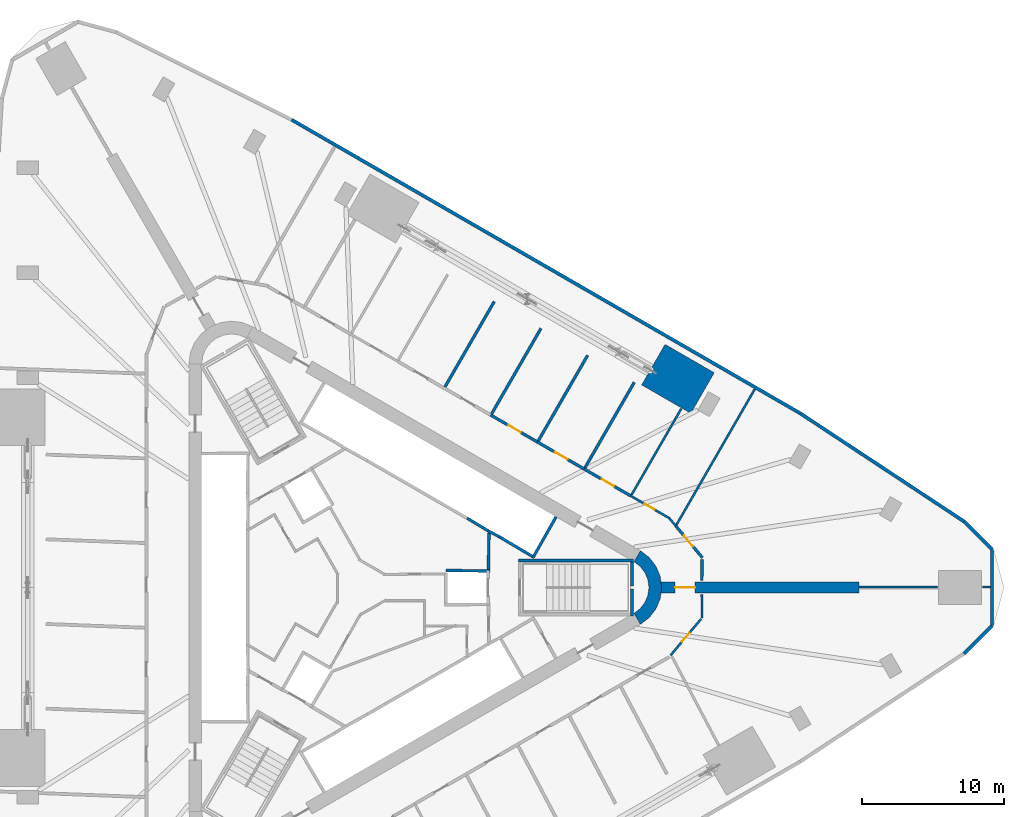
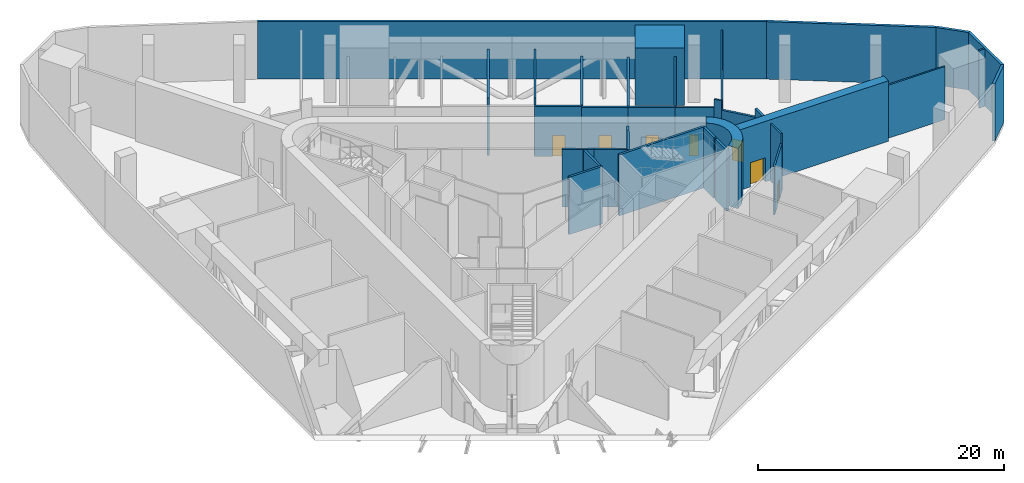
# One storey, part 10 of 14: 34 walls, 7 doors, 7 openings.
"""IFC4 building model written with IfcOpenShell, lengths in metres."""

from ifc_helpers import new_model, si_unit, direction, frame, frame_2d, origin, place, context, subcontext, project, spatial, polyline, rectangle, outline, extrude, material, layer, layer_set, type_object, element, fill, save


model = new_model("IFC4")

# Units and contexts
model_context = context("Model", 3, precision=1e-05, world=origin(), true_north=direction((0.0, 1.0)))
body_context = subcontext(model_context, "Body", "Model", "MODEL_VIEW")
ifc_project = project(units=[si_unit("LENGTHUNIT", "METRE"), si_unit("AREAUNIT", "SQUARE_METRE"), si_unit("VOLUMEUNIT", "CUBIC_METRE"), si_unit("PLANEANGLEUNIT", "RADIAN"), si_unit("MASSUNIT", "GRAM", prefix="KILO")], contexts=[model_context])

# Site, building, storey
site_placement = place(None, origin())
site = spatial("IfcSite", under=ifc_project, at=site_placement, CompositionType="ELEMENT")
building_placement = place(site_placement, origin())
building = spatial("IfcBuilding", under=site, at=building_placement, Name="Tanit Gate Tower", CompositionType="ELEMENT")
storey_placement = place(building_placement, frame((0.0, 0.0, 39.5)))
storey = spatial("IfcBuildingStorey", under=building, at=storey_placement, Name="L06", CompositionType="ELEMENT", Elevation=39.5)

# Wall, opening, door
ifc_material_1 = material(Name="Concrete C60/75", Category="concrete")
ifc_layer_1 = layer(ifc_material_1, 0.800048828125)
ifc_layer_set_1 = layer_set([ifc_layer_1], Name="BUTTRESS FIN 800 C60/75")
wall_type_1 = type_object("IfcWallType", Name="BUTTRESS FIN 800 C60/75", PredefinedType="SHEAR", material=ifc_layer_set_1)
wall_1_placement = place(storey_placement, frame((21.14990234375, 0.0, 0.0), z_axis=(0.0, 0.0, 1.0), x_axis=(1.0, 0.0, 0.0)))
wall_1 = element("IfcWall", 1, at=wall_1_placement, inside=storey, type_object=wall_type_1, Name="BUTTRESS FIN", PredefinedType="SHEAR", context=body_context, shape_type="SweptSolid", body=[
    extrude(rectangle(XDim=13.9541015625, YDim=0.800048828125, at=frame_2d((6.97705078125, 0.0))), origin(), (0.0, 0.0, 1.0), 6.0),
])
opening_1_placement = place(wall_1_placement, frame((1.0, 0.0, 0.0)))
opening_1 = element("IfcOpeningElement", 2, at=opening_1_placement, cuts=wall_1, Name="Opening P14-06-F-E-1", PredefinedType="OPENING", context=body_context, shape_type="SweptSolid", body=[
    extrude(rectangle(XDim=1.39990234375, YDim=2.39990234375, at=frame_2d((0.699951171875, 1.199951171875))), frame((0.0, 0.41015625, 0.0), z_axis=(0.0, -1.0, 0.0), x_axis=(1.0, 0.0, 0.0)), (0.0, 0.0, 1.0), 0.820068359375),
])
ifc_material_2 = material(Name="Timber door leaf", Category="wood")
door_type_1 = type_object("IfcDoorType", Name="INT-DOOR-FIN-PAIR-1400", OperationType="NOTDEFINED", PredefinedType="NOTDEFINED", material=ifc_material_2)
door_1_placement = place(opening_1_placement, origin())
door_1 = element("IfcDoor", 3, at=door_1_placement, inside=storey, type_object=door_type_1, Name="Door P14-06-F-E-1", OperationType="DOUBLE_DOOR_SINGLE_SWING", OverallHeight=2.39990234375, OverallWidth=1.39990234375, PredefinedType="NOTDEFINED", context=body_context, shape_type="SweptSolid", body=[
    extrude(rectangle(XDim=1.39990234375, YDim=2.39990234375, at=frame_2d((0.699951171875, 1.199951171875))), frame((0.0, 0.02490234375, 0.0), z_axis=(0.0, -1.0, 0.0), x_axis=(1.0, 0.0, 0.0)), (0.0, 0.0, 1.0), 0.050048828125),
])
fill(opening_1, door_1)

# Walls
ifc_material_3 = material(Name="Concrete C60/75", Category="concrete")
ifc_layer_2 = layer(ifc_material_3, 0.89990234375)
ifc_layer_set_2 = layer_set([ifc_layer_2], Name="CORE WALL 900 C60/75")
wall_type_2 = type_object("IfcWallType", Name="CORE WALL 900 C60/75", PredefinedType="SHEAR", material=ifc_layer_set_2)
wall_2_placement = place(storey_placement, origin())
element("IfcWall", 4, at=wall_2_placement, inside=storey, type_object=wall_type_2, Name="CORE WALL CORNER", PredefinedType="SHEAR", context=body_context, shape_type="SweptSolid", body=[
    extrude(outline(polyline([(19.699951171875, -2.59814453125), (20.3212890625, -2.121337890625), (20.798095703125, -1.5), (21.097900390625, -0.776611328125), (21.199951171875, 0.0), (21.097900390625, 0.776611328125), (20.798095703125, 1.5), (20.3212890625, 2.121337890625), (19.699951171875, 2.59814453125), (19.25, 1.818603515625), (19.684814453125, 1.48486328125), (20.018798828125, 1.050048828125), (20.228515625, 0.54345703125), (20.300048828125, 0.0), (20.228515625, -0.54345703125), (20.018798828125, -1.050048828125), (19.684814453125, -1.48486328125), (19.25, -1.818603515625), (19.699951171875, -2.59814453125)])), origin(), (0.0, 0.0, 1.0), 6.0),
])
ifc_material_4 = material(Name="Concrete C30/37 with bronze anodised aluminium cladding", Category="concrete")
ifc_layer_3 = layer(ifc_material_4, 0.239990234375)
ifc_layer_set_3 = layer_set([ifc_layer_3], Name="Facade wall bronze clad 240")
wall_type_3 = type_object("IfcWallType", Name="Facade wall bronze clad 240", PredefinedType="SOLIDWALL", material=ifc_layer_set_3)
wall_3_placement = place(storey_placement, frame((42.4873046875, 4.665771484375, 0.0), z_axis=(0.0, 0.0, 1.0), x_axis=(-0.834569880428, 0.550902091739, 0.0)))
element("IfcWall", 5, at=wall_3_placement, inside=storey, type_object=wall_type_3, Name="Bronze-clad facade wall L06 NE1", PredefinedType="SOLIDWALL", context=body_context, shape_type="SweptSolid", body=[
    extrude(rectangle(XDim=13.801513671875, YDim=0.239990234375, at=frame_2d((6.90087890625, 0.0))), origin(), (0.0, 0.0, 1.0), 5.699951171875),
])
wall_4_placement = place(storey_placement, frame((30.968994140625, 12.26904296875, 0.0), z_axis=(0.0, 0.0, 1.0), x_axis=(-0.866060590604, 0.499939049688, 0.0)))
element("IfcWall", 6, at=wall_4_placement, inside=storey, type_object=wall_type_3, Name="Bronze-clad facade wall L06 NE2", PredefinedType="SOLIDWALL", context=body_context, shape_type="SweptSolid", body=[
    extrude(rectangle(XDim=41.370849609375, YDim=0.239990234375, at=frame_2d((20.685546875, 0.0))), origin(), (0.0, 0.0, 1.0), 5.699951171875),
])
wall_5_placement = place(storey_placement, frame((42.4873046875, -4.665771484375, 0.0), z_axis=(0.0, 0.0, 1.0), x_axis=(0.707106781187, 0.707106781187, 0.0)))
element("IfcWall", 7, at=wall_5_placement, inside=storey, type_object=wall_type_3, Name="Bronze-clad facade wall L06 E.arc1", PredefinedType="SOLIDWALL", context=body_context, shape_type="SweptSolid", body=[
    extrude(rectangle(XDim=2.800537109375, YDim=0.239990234375, at=frame_2d((1.400390625, 0.0))), origin(), (0.0, 0.0, 1.0), 5.699951171875),
])
wall_6_placement = place(storey_placement, frame((44.467529296875, -2.685546875, 0.0), z_axis=(0.0, 0.0, 1.0), x_axis=(0.0, 1.0, 0.0)))
element("IfcWall", 8, at=wall_6_placement, inside=storey, type_object=wall_type_3, Name="Bronze-clad facade wall L06 E.arc2", PredefinedType="SOLIDWALL", context=body_context, shape_type="SweptSolid", body=[
    extrude(rectangle(XDim=5.37109375, YDim=0.239990234375, at=frame_2d((2.685546875, 0.0))), origin(), (0.0, 0.0, 1.0), 5.699951171875),
])
wall_7_placement = place(storey_placement, frame((44.467529296875, 2.685546875, 0.0), z_axis=(0.0, 0.0, 1.0), x_axis=(-0.707106781187, 0.707106781187, 0.0)))
element("IfcWall", 9, at=wall_7_placement, inside=storey, type_object=wall_type_3, Name="Bronze-clad facade wall L06 E.arc3", PredefinedType="SOLIDWALL", context=body_context, shape_type="SweptSolid", body=[
    extrude(rectangle(XDim=2.800537109375, YDim=0.239990234375, at=frame_2d((1.400390625, 0.0))), origin(), (0.0, 0.0, 1.0), 5.699951171875),
])
ifc_material_5 = material(Name="Fire-rated gypsum board partition")
ifc_layer_4 = layer(ifc_material_5, 0.199951171875)
ifc_layer_set_4 = layer_set([ifc_layer_4], Name="INT-WALL-COMPARTMENT")
wall_type_4 = type_object("IfcWallType", Name="INT-WALL-COMPARTMENT", PredefinedType="PARTITIONING", material=ifc_layer_set_4)
wall_8_placement = place(storey_placement, frame((9.0009765625, 1.27001953125, 0.0), z_axis=(0.0, 0.0, 1.0), x_axis=(0.010784614026, 0.999941844359, 0.0)))
element("IfcWall", 10, at=wall_8_placement, inside=storey, type_object=wall_type_4, Name="Wall Compartment W062", PredefinedType="PARTITIONING", context=body_context, shape_type="SweptSolid", body=[
    extrude(rectangle(XDim=2.580810546875, YDim=0.199951171875, at=frame_2d((1.29052734375, 0.0))), origin(), (0.0, 0.0, 1.0), 5.699951171875),
])

# Wall, opening, door
wall_9_placement = place(storey_placement, frame((19.022705078125, 6.453125, 0.0), z_axis=(0.0, 0.0, 1.0), x_axis=(-0.866009436129, 0.500027655771, 0.0)))
wall_9 = element("IfcWall", 11, at=wall_9_placement, inside=storey, type_object=wall_type_4, Name="Wall Compartment W119", PredefinedType="PARTITIONING", context=body_context, shape_type="SweptSolid", body=[
    extrude(rectangle(XDim=3.808349609375, YDim=0.199951171875, at=frame_2d((1.904296875, 0.0))), origin(), (0.0, 0.0, 1.0), 4.8798828125),
])
opening_2_placement = place(wall_9_placement, frame((1.362548828125, 0.0, 0.0)))
opening_2 = element("IfcOpeningElement", 12, at=opening_2_placement, cuts=wall_9, Name="Opening F10-06-30", PredefinedType="OPENING", context=body_context, shape_type="SweptSolid", body=[
    extrude(rectangle(XDim=1.0, YDim=2.10009765625, at=frame_2d((0.5, 1.050048828125))), frame((0.0, 0.10986328125, 0.0), z_axis=(0.0, -1.0, 0.0), x_axis=(1.0, 0.0, 0.0)), (0.0, 0.0, 1.0), 0.219970703125),
])
ifc_material_6 = material(Name="Fire-rated steel door leaf", Category="steel")
door_type_2 = type_object("IfcDoorType", Name="INT-DOOR-FIRE-1000", OperationType="NOTDEFINED", PredefinedType="USERDEFINED", material=ifc_material_6)
door_2_placement = place(opening_2_placement, origin())
door_2 = element("IfcDoor", 13, at=door_2_placement, inside=storey, type_object=door_type_2, Name="Door F10-06-30", ObjectType="FIRE DOOR", OperationType="SINGLE_SWING_RIGHT", OverallHeight=2.10009765625, OverallWidth=1.0, PredefinedType="USERDEFINED", context=body_context, shape_type="SweptSolid", body=[
    extrude(rectangle(XDim=1.0, YDim=2.10009765625, at=frame_2d((0.5, 1.050048828125))), frame((0.0, 0.02490234375, 0.0), z_axis=(0.0, -1.0, 0.0), x_axis=(1.0, 0.0, 0.0)), (0.0, 0.0, 1.0), 0.050048828125),
])
fill(opening_2, door_2)

wall_10_placement = place(storey_placement, frame((15.724609375, 8.357421875, 0.0), z_axis=(0.0, 0.0, 1.0), x_axis=(-0.866037770685, 0.499978579288, 0.0)))
wall_10 = element("IfcWall", 14, at=wall_10_placement, inside=storey, type_object=wall_type_4, Name="Wall Compartment W118", PredefinedType="PARTITIONING", context=body_context, shape_type="SweptSolid", body=[
    extrude(rectangle(XDim=3.795654296875, YDim=0.199951171875, at=frame_2d((1.89794921875, 0.0))), origin(), (0.0, 0.0, 1.0), 4.8798828125),
])
opening_3_placement = place(wall_10_placement, frame((1.35009765625, 0.0, 0.0)))
opening_3 = element("IfcOpeningElement", 15, at=opening_3_placement, cuts=wall_10, Name="Opening F10-06-29", PredefinedType="OPENING", context=body_context, shape_type="SweptSolid", body=[
    extrude(rectangle(XDim=1.0, YDim=2.10009765625, at=frame_2d((0.5, 1.050048828125))), frame((0.0, 0.10986328125, 0.0), z_axis=(0.0, -1.0, 0.0), x_axis=(1.0, 0.0, 0.0)), (0.0, 0.0, 1.0), 0.219970703125),
])
door_3_placement = place(opening_3_placement, origin())
door_3 = element("IfcDoor", 16, at=door_3_placement, inside=storey, type_object=door_type_2, Name="Door F10-06-29", ObjectType="FIRE DOOR", OperationType="SINGLE_SWING_RIGHT", OverallHeight=2.10009765625, OverallWidth=1.0, PredefinedType="USERDEFINED", context=body_context, shape_type="SweptSolid", body=[
    extrude(rectangle(XDim=1.0, YDim=2.10009765625, at=frame_2d((0.5, 1.050048828125))), frame((0.0, 0.02490234375, 0.0), z_axis=(0.0, -1.0, 0.0), x_axis=(1.0, 0.0, 0.0)), (0.0, 0.0, 1.0), 0.050048828125),
])
fill(opening_3, door_3)

wall_11_placement = place(storey_placement, frame((12.4375, 10.255126953125, 0.0), z_axis=(0.0, 0.0, 1.0), x_axis=(-0.866009918585, 0.500026820193, 0.0)))
wall_11 = element("IfcWall", 17, at=wall_11_placement, inside=storey, type_object=wall_type_4, Name="Wall Compartment W117", PredefinedType="PARTITIONING", context=body_context, shape_type="SweptSolid", body=[
    extrude(rectangle(XDim=3.795654296875, YDim=0.199951171875, at=frame_2d((1.89794921875, 0.0))), origin(), (0.0, 0.0, 1.0), 4.97998046875),
])
opening_4_placement = place(wall_11_placement, frame((1.35009765625, 0.0, 0.0)))
opening_4 = element("IfcOpeningElement", 18, at=opening_4_placement, cuts=wall_11, Name="Opening F10-06-28", PredefinedType="OPENING", context=body_context, shape_type="SweptSolid", body=[
    extrude(rectangle(XDim=1.0, YDim=2.10009765625, at=frame_2d((0.5, 1.050048828125))), frame((0.0, 0.10986328125, 0.0), z_axis=(0.0, -1.0, 0.0), x_axis=(1.0, 0.0, 0.0)), (0.0, 0.0, 1.0), 0.219970703125),
])
door_4_placement = place(opening_4_placement, origin())
door_4 = element("IfcDoor", 19, at=door_4_placement, inside=storey, type_object=door_type_2, Name="Door F10-06-28", ObjectType="FIRE DOOR", OperationType="SINGLE_SWING_LEFT", OverallHeight=2.10009765625, OverallWidth=1.0, PredefinedType="USERDEFINED", context=body_context, shape_type="SweptSolid", body=[
    extrude(rectangle(XDim=1.0, YDim=2.10009765625, at=frame_2d((0.5, 1.050048828125))), frame((0.0, 0.02490234375, 0.0), z_axis=(0.0, -1.0, 0.0), x_axis=(1.0, 0.0, 0.0)), (0.0, 0.0, 1.0), 0.050048828125),
])
fill(opening_4, door_4)

wall_12_placement = place(storey_placement, frame((24.070068359375, 2.099365234375, 0.0), z_axis=(0.0, 0.0, 1.0), x_axis=(-0.642786909483, 0.766045030659, 0.0)))
wall_12 = element("IfcWall", 20, at=wall_12_placement, inside=storey, type_object=wall_type_4, Name="Wall Compartment W122", PredefinedType="PARTITIONING", context=body_context, shape_type="SweptSolid", body=[
    extrude(rectangle(XDim=2.91162109375, YDim=0.199951171875, at=frame_2d((1.455810546875, 0.0))), origin(), (0.0, 0.0, 1.0), 4.780029296875),
])
opening_5_placement = place(wall_12_placement, frame((1.037109375, 0.0, 0.0)))
opening_5 = element("IfcOpeningElement", 21, at=opening_5_placement, cuts=wall_12, Name="Opening F10-06-32", PredefinedType="OPENING", context=body_context, shape_type="SweptSolid", body=[
    extrude(rectangle(XDim=1.0, YDim=2.10009765625, at=frame_2d((0.5, 1.050048828125))), frame((0.0, 0.10986328125, 0.0), z_axis=(0.0, -1.0, 0.0), x_axis=(1.0, 0.0, 0.0)), (0.0, 0.0, 1.0), 0.219970703125),
])
door_5_placement = place(opening_5_placement, origin())
door_5 = element("IfcDoor", 22, at=door_5_placement, inside=storey, type_object=door_type_2, Name="Door F10-06-32", ObjectType="FIRE DOOR", OperationType="SINGLE_SWING_LEFT", OverallHeight=2.10009765625, OverallWidth=1.0, PredefinedType="USERDEFINED", context=body_context, shape_type="SweptSolid", body=[
    extrude(rectangle(XDim=1.0, YDim=2.10009765625, at=frame_2d((0.5, 1.050048828125))), frame((0.0, 0.02490234375, 0.0), z_axis=(0.0, -1.0, 0.0), x_axis=(1.0, 0.0, 0.0)), (0.0, 0.0, 1.0), 0.050048828125),
])
fill(opening_5, door_5)

# Walls
wall_13_placement = place(storey_placement, frame((24.023193359375, 0.5, 0.0), z_axis=(0.0, 0.0, 1.0), x_axis=(0.014069125496, 0.999901024956, 0.0)))
element("IfcWall", 23, at=wall_13_placement, inside=storey, type_object=wall_type_4, Name="Wall Compartment W123", PredefinedType="PARTITIONING", context=body_context, shape_type="SweptSolid", body=[
    extrude(rectangle(XDim=1.47509765625, YDim=0.199951171875, at=frame_2d((0.737548828125, 0.0))), origin(), (0.0, 0.0, 1.0), 5.699951171875),
])
wall_14_placement = place(storey_placement, frame((9.4072265625, 20.1494140625, 0.0), z_axis=(0.0, 0.0, 1.0), x_axis=(-0.500002060787, -0.866024213985, 0.0)))
element("IfcWall", 24, at=wall_14_placement, inside=storey, type_object=wall_type_4, Name="Wall Compartment W128", PredefinedType="PARTITIONING", context=body_context, shape_type="SweptSolid", body=[
    extrude(rectangle(XDim=6.95361328125, YDim=0.199951171875, at=frame_2d((3.476806640625, 0.0))), origin(), (0.0, 0.0, 1.0), 5.699951171875),
])
wall_15_placement = place(storey_placement, frame((9.217529296875, 12.229736328125, 0.0), z_axis=(0.0, 0.0, 1.0), x_axis=(0.500017264306, 0.866015436003, 0.0)))
element("IfcWall", 25, at=wall_15_placement, inside=storey, type_object=wall_type_4, Name="Wall Compartment W129", PredefinedType="PARTITIONING", context=body_context, shape_type="SweptSolid", body=[
    extrude(rectangle(XDim=6.953369140625, YDim=0.199951171875, at=frame_2d((3.4765625, 0.0))), origin(), (0.0, 0.0, 1.0), 5.699951171875),
])
wall_16_placement = place(storey_placement, frame((15.9814453125, 16.353515625, 0.0), z_axis=(0.0, 0.0, 1.0), x_axis=(-0.499990930889, -0.866030639775, 0.0)))
element("IfcWall", 26, at=wall_16_placement, inside=storey, type_object=wall_type_4, Name="Wall Compartment W130", PredefinedType="PARTITIONING", context=body_context, shape_type="SweptSolid", body=[
    extrude(rectangle(XDim=6.953369140625, YDim=0.199951171875, at=frame_2d((3.4765625, 0.0))), origin(), (0.0, 0.0, 1.0), 4.97998046875),
])
wall_17_placement = place(storey_placement, frame((19.268798828125, 14.455810546875, 0.0), z_axis=(0.0, 0.0, 1.0), x_axis=(-0.500002060787, -0.866024213985, 0.0)))
element("IfcWall", 27, at=wall_17_placement, inside=storey, type_object=wall_type_4, Name="Wall Compartment W131", PredefinedType="PARTITIONING", context=body_context, shape_type="SweptSolid", body=[
    extrude(rectangle(XDim=6.95361328125, YDim=0.199951171875, at=frame_2d((3.476806640625, 0.0))), origin(), (0.0, 0.0, 1.0), 4.8798828125),
])

# Wall, opening, door
ifc_material_7 = material(Name="Fire-rated gypsum board partition")
ifc_layer_5 = layer(ifc_material_7, 0.14990234375)
ifc_layer_set_5 = layer_set([ifc_layer_5], Name="INT-WALL-RISER")
wall_type_5 = type_object("IfcWallType", Name="INT-WALL-RISER", PredefinedType="PLUMBINGWALL", material=ifc_layer_set_5)
wall_18_placement = place(storey_placement, frame((21.791748046875, 4.8544921875, 0.0), z_axis=(0.0, 0.0, 1.0), x_axis=(-0.86603554589, 0.499982432947, 0.0)))
wall_18 = element("IfcWall", 28, at=wall_18_placement, inside=storey, type_object=wall_type_5, Name="Wall Riser W120", PredefinedType="PLUMBINGWALL", context=body_context, shape_type="SweptSolid", body=[
    extrude(rectangle(XDim=3.197265625, YDim=0.14990234375, at=frame_2d((1.5986328125, 0.0))), origin(), (0.0, 0.0, 1.0), 4.8798828125),
])
opening_6_placement = place(wall_18_placement, frame((1.27490234375, 0.0, 0.0)))
opening_6 = element("IfcOpeningElement", 29, at=opening_6_placement, cuts=wall_18, Name="Opening R08-06-31", PredefinedType="OPENING", context=body_context, shape_type="SweptSolid", body=[
    extrude(rectangle(XDim=0.800048828125, YDim=2.10009765625, at=frame_2d((0.39990234375, 1.050048828125))), frame((0.0, 0.0849609375, 0.0), z_axis=(0.0, -1.0, 0.0), x_axis=(1.0, 0.0, 0.0)), (0.0, 0.0, 1.0), 0.169921875),
])
ifc_material_8 = material(Name="Timber door leaf", Category="wood")
door_type_3 = type_object("IfcDoorType", Name="INT-DOOR-RISER-800", OperationType="NOTDEFINED", PredefinedType="USERDEFINED", material=ifc_material_8)
door_6_placement = place(opening_6_placement, origin())
door_6 = element("IfcDoor", 30, at=door_6_placement, inside=storey, type_object=door_type_3, Name="Door R08-06-31", ObjectType="FIRE DOOR", OperationType="SINGLE_SWING_LEFT", OverallHeight=2.10009765625, OverallWidth=0.800048828125, PredefinedType="USERDEFINED", context=body_context, shape_type="SweptSolid", body=[
    extrude(rectangle(XDim=0.800048828125, YDim=2.10009765625, at=frame_2d((0.39990234375, 1.050048828125))), frame((0.0, 0.02490234375, 0.0), z_axis=(0.0, -1.0, 0.0), x_axis=(1.0, 0.0, 0.0)), (0.0, 0.0, 1.0), 0.050048828125),
])
fill(opening_6, door_6)

# Walls
wall_19_placement = place(storey_placement, frame((22.198486328125, 4.329833984375, 0.0), z_axis=(0.0, 0.0, 1.0), x_axis=(-0.642696485047, 0.766120896535, 0.0)))
element("IfcWall", 31, at=wall_19_placement, inside=storey, type_object=wall_type_5, Name="Wall Riser W121", PredefinedType="PLUMBINGWALL", context=body_context, shape_type="SweptSolid", body=[
    extrude(rectangle(XDim=0.65869140625, YDim=0.14990234375, at=frame_2d((0.329345703125, 0.0))), origin(), (0.0, 0.0, 1.0), 5.699951171875),
])
wall_20_placement = place(storey_placement, frame((22.5810546875, 12.60107421875, 0.0), z_axis=(0.0, 0.0, 1.0), x_axis=(-0.500012147621, -0.866018390239, 0.0)))
element("IfcWall", 32, at=wall_20_placement, inside=storey, type_object=wall_type_5, Name="Wall Riser W132", PredefinedType="PLUMBINGWALL", context=body_context, shape_type="SweptSolid", body=[
    extrude(rectangle(XDim=7.003173828125, YDim=0.14990234375, at=frame_2d((3.50146484375, 0.0))), origin(), (0.0, 0.0, 1.0), 4.8798828125),
])
wall_21_placement = place(storey_placement, frame((27.7587890625, 13.977783203125, 0.0), z_axis=(0.0, 0.0, 1.0), x_axis=(-0.500006715255, -0.866021526696, 0.0)))
element("IfcWall", 33, at=wall_21_placement, inside=storey, type_object=wall_type_5, Name="Wall Riser W133", PredefinedType="PLUMBINGWALL", context=body_context, shape_type="SweptSolid", body=[
    extrude(rectangle(XDim=11.052490234375, YDim=0.14990234375, at=frame_2d((5.5263671875, 0.0))), origin(), (0.0, 0.0, 1.0), 4.8798828125),
])
wall_22_placement = place(storey_placement, frame((35.10400390625, 0.030029296875, 0.0), z_axis=(0.0, 0.0, 1.0), x_axis=(1.0, 0.0, 0.0)))
element("IfcWall", 34, at=wall_22_placement, inside=storey, type_object=wall_type_5, Name="Wall Riser W134", PredefinedType="PLUMBINGWALL", context=body_context, shape_type="SweptSolid", body=[
    extrude(rectangle(XDim=5.50732421875, YDim=0.14990234375, at=frame_2d((2.753662109375, 0.0))), origin(), (0.0, 0.0, 1.0), 5.27001953125),
])
wall_23_placement = place(storey_placement, frame((43.811279296875, 0.030029296875, 0.0), z_axis=(0.0, 0.0, 1.0), x_axis=(1.0, 0.0, 0.0)))
element("IfcWall", 35, at=wall_23_placement, inside=storey, type_object=wall_type_5, Name="Wall Riser W135", PredefinedType="PLUMBINGWALL", context=body_context, shape_type="SweptSolid", body=[
    extrude(rectangle(XDim=0.5361328125, YDim=0.14990234375, at=frame_2d((0.26806640625, 0.0))), origin(), (0.0, 0.0, 1.0), 5.699951171875),
])
wall_24_placement = place(storey_placement, frame((24.046630859375, -2.15576171875, 0.0), z_axis=(0.0, 0.0, 1.0), x_axis=(-0.014153698586, 0.999899831391, 0.0)))
element("IfcWall", 36, at=wall_24_placement, inside=storey, type_object=wall_type_5, Name="Wall Riser W147", PredefinedType="PLUMBINGWALL", context=body_context, shape_type="SweptSolid", body=[
    extrude(rectangle(XDim=1.656005859375, YDim=0.14990234375, at=frame_2d((0.828125, 0.0))), origin(), (0.0, 0.0, 1.0), 5.699951171875),
])

# Wall, opening, door
wall_25_placement = place(storey_placement, frame((21.822265625, -4.7783203125, 0.0), z_axis=(0.0, 0.0, 1.0), x_axis=(0.642779483679, 0.766051261575, 0.0)))
wall_25 = element("IfcWall", 37, at=wall_25_placement, inside=storey, type_object=wall_type_5, Name="Wall Riser W148", PredefinedType="PLUMBINGWALL", context=body_context, shape_type="SweptSolid", body=[
    extrude(rectangle(XDim=3.344970703125, YDim=0.14990234375, at=frame_2d((1.67236328125, 0.0))), origin(), (0.0, 0.0, 1.0), 4.780029296875),
])
opening_7_placement = place(wall_25_placement, frame((1.2705078125, 0.0, 0.0)))
opening_7 = element("IfcOpeningElement", 38, at=opening_7_placement, cuts=wall_25, Name="Opening R08-06-42", PredefinedType="OPENING", context=body_context, shape_type="SweptSolid", body=[
    extrude(rectangle(XDim=0.800048828125, YDim=2.10009765625, at=frame_2d((0.39990234375, 1.050048828125))), frame((0.0, 0.0849609375, 0.0), z_axis=(0.0, -1.0, 0.0), x_axis=(1.0, 0.0, 0.0)), (0.0, 0.0, 1.0), 0.169921875),
])
door_7_placement = place(opening_7_placement, origin())
door_7 = element("IfcDoor", 39, at=door_7_placement, inside=storey, type_object=door_type_3, Name="Door R08-06-42", ObjectType="FIRE DOOR", OperationType="SINGLE_SWING_LEFT", OverallHeight=2.10009765625, OverallWidth=0.800048828125, PredefinedType="USERDEFINED", context=body_context, shape_type="SweptSolid", body=[
    extrude(rectangle(XDim=0.800048828125, YDim=2.10009765625, at=frame_2d((0.39990234375, 1.050048828125))), frame((0.0, 0.02490234375, 0.0), z_axis=(0.0, -1.0, 0.0), x_axis=(1.0, 0.0, 0.0)), (0.0, 0.0, 1.0), 0.050048828125),
])
fill(opening_7, door_7)

# Walls
ifc_material_9 = material(Name="Gypsum shaft wall system")
ifc_layer_6 = layer(ifc_material_9, 0.199951171875)
ifc_layer_set_6 = layer_set([ifc_layer_6], Name="INT-WALL-SHAFT")
wall_type_6 = type_object("IfcWallType", Name="INT-WALL-SHAFT", PredefinedType="PLUMBINGWALL", material=ifc_layer_set_6)
wall_26_placement = place(storey_placement, frame((12.10986328125, 2.07275390625, 0.0), z_axis=(0.0, 0.0, 1.0), x_axis=(0.49196600604, 0.870614408852, 0.0)))
element("IfcWall", 40, at=wall_26_placement, inside=storey, type_object=wall_type_6, Name="Wall Shaft W013", PredefinedType="PLUMBINGWALL", context=body_context, shape_type="SweptSolid", body=[
    extrude(rectangle(XDim=3.35009765625, YDim=0.199951171875, at=frame_2d((1.675048828125, 0.0))), origin(), (0.0, 0.0, 1.0), 5.699951171875),
])
wall_27_placement = place(storey_placement, frame((12.072998046875, 2.2109375, 0.0), z_axis=(0.0, 0.0, 1.0), x_axis=(-0.860438357912, 0.509554542943, 0.0)))
element("IfcWall", 41, at=wall_27_placement, inside=storey, type_object=wall_type_6, Name="Wall Shaft W014", PredefinedType="PLUMBINGWALL", context=body_context, shape_type="SweptSolid", body=[
    extrude(rectangle(XDim=2.700439453125, YDim=0.199951171875, at=frame_2d((1.35009765625, 0.0))), origin(), (0.0, 0.0, 1.0), 5.699951171875),
])
wall_28_placement = place(storey_placement, frame((9.74755859375, 3.583251953125, 0.0), z_axis=(0.0, 0.0, 1.0), x_axis=(-0.880917147855, 0.473270513147, 0.0)))
element("IfcWall", 42, at=wall_28_placement, inside=storey, type_object=wall_type_6, Name="Wall Shaft W015", PredefinedType="PLUMBINGWALL", context=body_context, shape_type="SweptSolid", body=[
    extrude(rectangle(XDim=0.8779296875, YDim=0.199951171875, at=frame_2d((0.43896484375, 0.0))), origin(), (0.0, 0.0, 1.0), 5.699951171875),
])
wall_29_placement = place(storey_placement, frame((9.0791015625, 3.93701171875, 0.0), z_axis=(0.0, 0.0, 1.0), x_axis=(-0.857516281273, 0.51445682749, 0.0)))
element("IfcWall", 43, at=wall_29_placement, inside=storey, type_object=wall_type_6, Name="Wall Shaft W016", PredefinedType="PLUMBINGWALL", context=body_context, shape_type="SweptSolid", body=[
    extrude(rectangle(XDim=1.8447265625, YDim=0.199951171875, at=frame_2d((0.92236328125, 0.0))), origin(), (0.0, 0.0, 1.0), 5.699951171875),
])
wall_30_placement = place(storey_placement, frame((6.0, 1.199951171875, 0.0), z_axis=(0.0, 0.0, 1.0), x_axis=(0.999949988, -0.010001074852, 0.0)))
element("IfcWall", 44, at=wall_30_placement, inside=storey, type_object=wall_type_6, Name="Wall Shaft W039", PredefinedType="PLUMBINGWALL", context=body_context, shape_type="SweptSolid", body=[
    extrude(rectangle(XDim=3.100341796875, YDim=0.199951171875, at=frame_2d((1.55029296875, 0.0))), origin(), (0.0, 0.0, 1.0), 5.699951171875),
])
ifc_material_10 = material(Name="Concrete C40/50", Category="concrete")
ifc_layer_7 = layer(ifc_material_10, 0.199951171875)
ifc_layer_set_7 = layer_set([ifc_layer_7], Name="INT-WALL-STAIR")
wall_type_7 = type_object("IfcWallType", Name="INT-WALL-STAIR", PredefinedType="SHEAR", material=ifc_layer_set_7)
wall_31_placement = place(storey_placement, frame((19.199951171875, 1.89990234375, -0.35009765625), z_axis=(0.0, 0.0, 1.0), x_axis=(-1.0, 0.0, 0.0)))
element("IfcWall", 45, at=wall_31_placement, inside=storey, type_object=wall_type_7, Name="Wall Stair W033", PredefinedType="SHEAR", context=body_context, shape_type="SweptSolid", body=[
    extrude(rectangle(XDim=8.099853515625, YDim=0.199951171875, at=frame_2d((4.0498046875, 0.0))), origin(), (0.0, 0.0, 1.0), 6.050048828125),
])
wall_32_placement = place(storey_placement, frame((19.10009765625, -2.0, -0.35009765625), z_axis=(0.0, 0.0, 1.0), x_axis=(0.0, 1.0, 0.0)))
element("IfcWall", 46, at=wall_32_placement, inside=storey, type_object=wall_type_7, Name="Wall Stair W035", PredefinedType="SHEAR", context=body_context, shape_type="SweptSolid", body=[
    extrude(rectangle(XDim=1.889892578125, YDim=0.199951171875, at=frame_2d((0.94482421875, 0.0))), origin(), (0.0, 0.0, 1.0), 6.050048828125),
])
wall_33_placement = place(storey_placement, frame((19.10009765625, 0.110107421875, -0.35009765625), z_axis=(0.0, 0.0, 1.0), x_axis=(0.0, 1.0, 0.0)))
element("IfcWall", 47, at=wall_33_placement, inside=storey, type_object=wall_type_7, Name="Wall Stair W034", PredefinedType="SHEAR", context=body_context, shape_type="SweptSolid", body=[
    extrude(rectangle(XDim=1.68994140625, YDim=0.199951171875, at=frame_2d((0.844970703125, 0.0))), origin(), (0.0, 0.0, 1.0), 6.050048828125),
])
ifc_material_11 = material(Name="Concrete C60/75", Category="concrete")
ifc_layer_8 = layer(ifc_material_11, 4.0)
ifc_layer_set_8 = layer_set([ifc_layer_8], Name="PIER WALL 4000 C60/75")
wall_type_8 = type_object("IfcWallType", Name="PIER WALL 4000 C60/75", PredefinedType="SHEAR", material=ifc_layer_set_8)
wall_34_placement = place(storey_placement, origin())
element("IfcWall", 48, at=wall_34_placement, inside=storey, type_object=wall_type_8, Name="PIER WALL", PredefinedType="SHEAR", context=body_context, shape_type="SweptSolid", body=[
    extrude(outline(polyline([(24.901123046875, 15.1298828125), (21.43701171875, 17.1298828125), (19.787109375, 14.27197265625), (23.251220703125, 12.27197265625), (24.901123046875, 15.1298828125)])), origin(), (0.0, 0.0, 1.0), 5.699951171875),
])

save(model, "model.ifc")
